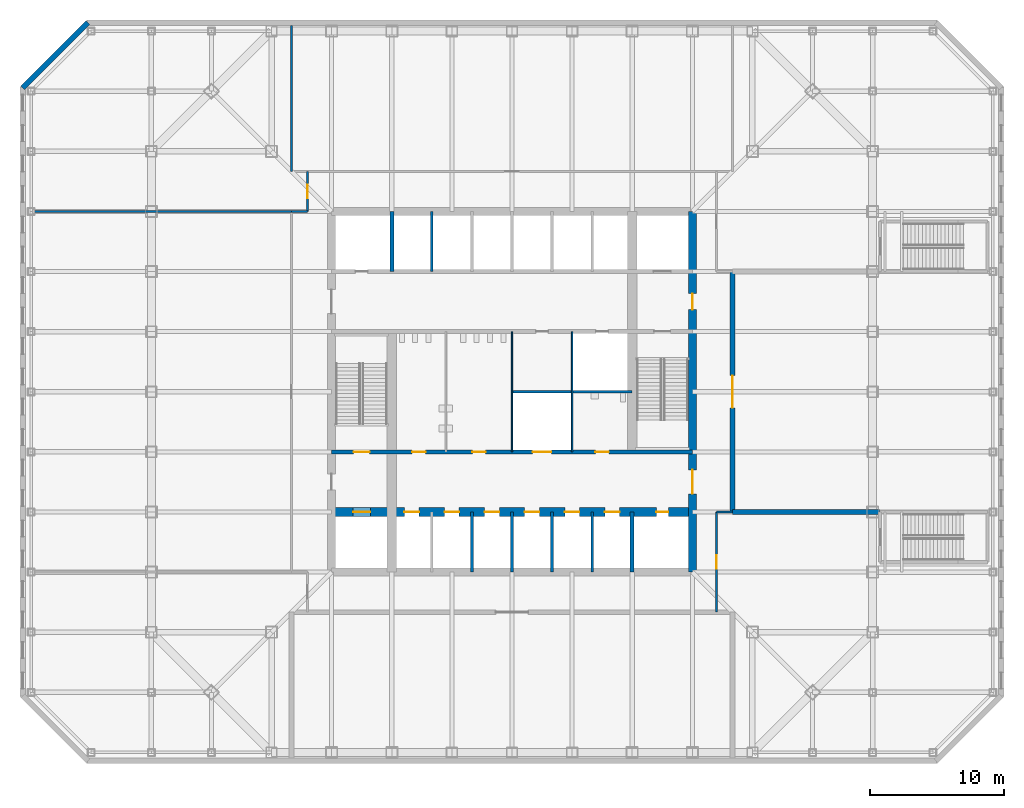
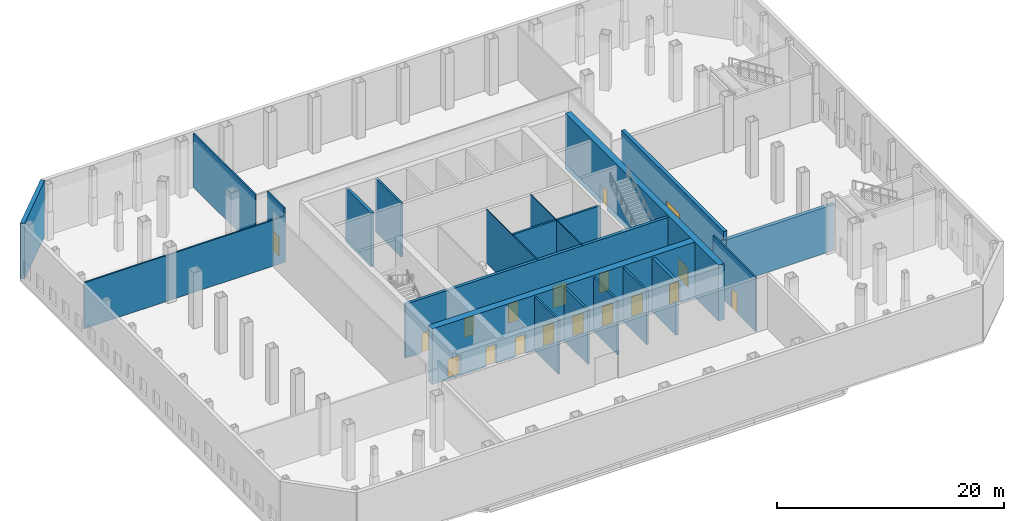
# One storey, part 7 of 13: 22 walls, 18 doors, 18 openings.
"""IFC4 building model written with IfcOpenShell, lengths in metres."""

from ifc_helpers import new_model, si_unit, direction, frame, frame_2d, origin, place, context, subcontext, project, spatial, rectangle, extrude, material, layer, layer_set, type_object, element, fill, save


model = new_model("IFC4")

# Units and contexts
model_context = context("Model", 3, precision=1e-05, world=origin(), true_north=direction((0.0, 1.0)))
body_context = subcontext(model_context, "Body", "Model", "MODEL_VIEW")
ifc_project = project(units=[si_unit("LENGTHUNIT", "METRE"), si_unit("AREAUNIT", "SQUARE_METRE"), si_unit("VOLUMEUNIT", "CUBIC_METRE"), si_unit("PLANEANGLEUNIT", "RADIAN"), si_unit("MASSUNIT", "GRAM", prefix="KILO")], contexts=[model_context])

# Site, building, storey
site_placement = place(None, origin())
site = spatial("IfcSite", under=ifc_project, at=site_placement, CompositionType="ELEMENT")
building_placement = place(site_placement, origin())
building = spatial("IfcBuilding", under=site, at=building_placement, Name="Corais Broadcast Tower", CompositionType="ELEMENT")
storey_placement = place(building_placement, frame((0.0, 0.0, 12.0)))
storey = spatial("IfcBuildingStorey", under=building, at=storey_placement, Name="L02", CompositionType="ELEMENT", Elevation=12.0)

# Walls
ifc_material_1 = material(Name="Concrete blockwork class A, grouted, two-hour", Category="masonry")
ifc_layer_1 = layer(ifc_material_1, 0.300048828125)
ifc_layer_set_1 = layer_set([ifc_layer_1], Name="Concrete blockwork class A, grouted, two-hour")
wall_type_1 = type_object("IfcWallType", Name="Core lobby wall 300", PredefinedType="SOLIDWALL", material=ifc_layer_set_1)
for number, where, z_axis, x_axis, name in (
    (1, (18.0, 36.0, 0.0), (0.0, 0.0, 1.0), (0.0, 1.0, 0.0), "CL1 core shaft wall X18B L02"),
    (2, (36.0, 13.5, 0.0), (0.0, 0.0, 1.0), (0.0, 1.0, 0.0), "CL1 core shaft wall X36A L02"),
):
    element("IfcWall", number, at=place(storey_placement, frame(where, z_axis=z_axis, x_axis=x_axis)), inside=storey, type_object=wall_type_1, Name=name, PredefinedType="SOLIDWALL", context=body_context, shape_type="SweptSolid", body=[
        extrude(rectangle(XDim=4.5, YDim=0.300048828125, at=frame_2d((2.25, 0.0))), origin(), (0.0, 0.0, 1.0), 5.800048828125),
    ])

# Wall, openings, doors
wall_1_placement = place(storey_placement, frame((13.5, 22.5, 0.0), z_axis=(0.0, 0.0, 1.0), x_axis=(1.0, 0.0, 0.0)))
wall_1 = element("IfcWall", 3, at=wall_1_placement, inside=storey, type_object=wall_type_1, Name="CL1 core lobby wall Y225 L02", PredefinedType="SOLIDWALL", context=body_context, shape_type="SweptSolid", body=[
    extrude(rectangle(XDim=27.0, YDim=0.300048828125, at=frame_2d((13.5, 0.0))), origin(), (0.0, 0.0, 1.0), 5.800048828125),
])
opening_1_placement = place(wall_1_placement, frame((1.64990234375, 0.0, 0.0)))
opening_1 = element("IfcOpeningElement", 4, at=opening_1_placement, cuts=wall_1, Name="Opening FD1", PredefinedType="OPENING", context=body_context, shape_type="SweptSolid", body=[
    extrude(rectangle(XDim=1.199951171875, YDim=2.10009765625, at=frame_2d((0.60009765625, 1.050048828125))), frame((0.0, 0.159912109375, 0.0), z_axis=(0.0, -1.0, 0.0), x_axis=(1.0, 0.0, 0.0)), (0.0, 0.0, 1.0), 0.320068359375),
])
opening_2_placement = place(wall_1_placement, frame((6.02490234375, 0.0, 0.0)))
opening_2 = element("IfcOpeningElement", 5, at=opening_2_placement, cuts=wall_1, Name="Opening WD1", PredefinedType="OPENING", context=body_context, shape_type="SweptSolid", body=[
    extrude(rectangle(XDim=1.0, YDim=2.10009765625, at=frame_2d((0.5, 1.050048828125))), frame((0.0, 0.159912109375, 0.0), z_axis=(0.0, -1.0, 0.0), x_axis=(1.0, 0.0, 0.0)), (0.0, 0.0, 1.0), 0.320068359375),
])
opening_3_placement = place(wall_1_placement, frame((10.52490234375, 0.0, 0.0)))
opening_3 = element("IfcOpeningElement", 6, at=opening_3_placement, cuts=wall_1, Name="Opening WD1", PredefinedType="OPENING", context=body_context, shape_type="SweptSolid", body=[
    extrude(rectangle(XDim=1.0, YDim=2.10009765625, at=frame_2d((0.5, 1.050048828125))), frame((0.0, 0.159912109375, 0.0), z_axis=(0.0, -1.0, 0.0), x_axis=(1.0, 0.0, 0.0)), (0.0, 0.0, 1.0), 0.320068359375),
])
opening_4_placement = place(wall_1_placement, frame((19.75, 0.0, 0.0)))
opening_4 = element("IfcOpeningElement", 7, at=opening_4_placement, cuts=wall_1, Name="Opening WD1", PredefinedType="OPENING", context=body_context, shape_type="SweptSolid", body=[
    extrude(rectangle(XDim=1.0, YDim=2.10009765625, at=frame_2d((0.5, 1.050048828125))), frame((0.0, 0.159912109375, 0.0), z_axis=(0.0, -1.0, 0.0), x_axis=(1.0, 0.0, 0.0)), (0.0, 0.0, 1.0), 0.320068359375),
])
opening_5_placement = place(wall_1_placement, frame((15.050048828125, 0.0, 0.0)))
opening_5 = element("IfcOpeningElement", 8, at=opening_5_placement, cuts=wall_1, Name="Opening LD3", PredefinedType="OPENING", context=body_context, shape_type="SweptSolid", body=[
    extrude(rectangle(XDim=1.39990234375, YDim=2.39990234375, at=frame_2d((0.699951171875, 1.199951171875))), frame((0.0, 0.159912109375, 0.0), z_axis=(0.0, -1.0, 0.0), x_axis=(1.0, 0.0, 0.0)), (0.0, 0.0, 1.0), 0.320068359375),
])
ifc_material_2 = material(Name="Steel fire door", Category="steel")
door_type_1 = type_object("IfcDoorType", Name="Fire door 1200x2100", OperationType="SINGLE_SWING_LEFT", PredefinedType="DOOR", material=ifc_material_2)
door_1_placement = place(opening_1_placement, origin())
door_1 = element("IfcDoor", 9, at=door_1_placement, inside=storey, type_object=door_type_1, Name="FD1 stair A door L02", OperationType="SINGLE_SWING_LEFT", OverallHeight=2.10009765625, OverallWidth=1.199951171875, PredefinedType="DOOR", context=body_context, shape_type="SweptSolid", body=[
    extrude(rectangle(XDim=1.199951171875, YDim=2.10009765625, at=frame_2d((0.60009765625, 1.050048828125))), frame((0.0, 0.02490234375, 0.0), z_axis=(0.0, -1.0, 0.0), x_axis=(1.0, 0.0, 0.0)), (0.0, 0.0, 1.0), 0.050048828125),
])
fill(opening_1, door_1)
ifc_material_3 = material(Name="Stainless steel lift door", Category="steel")
door_type_2 = type_object("IfcDoorType", Name="Service lift landing door 1400x2400", OperationType="SLIDING_TO_LEFT", PredefinedType="DOOR", material=ifc_material_3)
door_2_placement = place(opening_5_placement, origin())
door_2 = element("IfcDoor", 10, at=door_2_placement, inside=storey, type_object=door_type_2, Name="LD3 SL1 landing door L02", OperationType="SLIDING_TO_LEFT", OverallHeight=2.39990234375, OverallWidth=1.39990234375, PredefinedType="DOOR", context=body_context, shape_type="SweptSolid", body=[
    extrude(rectangle(XDim=1.39990234375, YDim=2.39990234375, at=frame_2d((0.699951171875, 1.199951171875))), frame((0.0, 0.02490234375, 0.0), z_axis=(0.0, -1.0, 0.0), x_axis=(1.0, 0.0, 0.0)), (0.0, 0.0, 1.0), 0.050048828125),
])
fill(opening_5, door_2)
ifc_material_4 = material(Name="Timber door", Category="wood")
door_type_3 = type_object("IfcDoorType", Name="Toilet door 1000x2100", OperationType="SINGLE_SWING_LEFT", PredefinedType="DOOR", material=ifc_material_4)
door_3_placement = place(opening_2_placement, origin())
door_3 = element("IfcDoor", 11, at=door_3_placement, inside=storey, type_object=door_type_3, Name="WD1 WC male door L02", OperationType="SINGLE_SWING_LEFT", OverallHeight=2.10009765625, OverallWidth=1.0, PredefinedType="DOOR", context=body_context, shape_type="SweptSolid", body=[
    extrude(rectangle(XDim=1.0, YDim=2.10009765625, at=frame_2d((0.5, 1.050048828125))), frame((0.0, 0.02490234375, 0.0), z_axis=(0.0, -1.0, 0.0), x_axis=(1.0, 0.0, 0.0)), (0.0, 0.0, 1.0), 0.050048828125),
])
fill(opening_2, door_3)
door_4_placement = place(opening_3_placement, origin())
door_4 = element("IfcDoor", 12, at=door_4_placement, inside=storey, type_object=door_type_3, Name="WD1 WC female door L02", OperationType="SINGLE_SWING_LEFT", OverallHeight=2.10009765625, OverallWidth=1.0, PredefinedType="DOOR", context=body_context, shape_type="SweptSolid", body=[
    extrude(rectangle(XDim=1.0, YDim=2.10009765625, at=frame_2d((0.5, 1.050048828125))), frame((0.0, 0.02490234375, 0.0), z_axis=(0.0, -1.0, 0.0), x_axis=(1.0, 0.0, 0.0)), (0.0, 0.0, 1.0), 0.050048828125),
])
fill(opening_3, door_4)
door_5_placement = place(opening_4_placement, origin())
door_5 = element("IfcDoor", 13, at=door_5_placement, inside=storey, type_object=door_type_3, Name="WD1 accessible WC door L02", OperationType="SINGLE_SWING_RIGHT", OverallHeight=2.10009765625, OverallWidth=1.0, PredefinedType="DOOR", context=body_context, shape_type="SweptSolid", body=[
    extrude(rectangle(XDim=1.0, YDim=2.10009765625, at=frame_2d((0.5, 1.050048828125))), frame((0.0, 0.02490234375, 0.0), z_axis=(0.0, -1.0, 0.0), x_axis=(1.0, 0.0, 0.0)), (0.0, 0.0, 1.0), 0.050048828125),
])
fill(opening_4, door_5)

ifc_material_5 = material(Name="Concrete C50/60", Category="concrete")
ifc_layer_2 = layer(ifc_material_5, 0.699951171875)
ifc_layer_set_2 = layer_set([ifc_layer_2], Name="Concrete C50/60")
wall_type_2 = type_object("IfcWallType", Name="Core spine wall 700", PredefinedType="SHEAR", material=ifc_layer_set_2)
wall_2_placement = place(storey_placement, frame((13.5, 18.0, 0.0), z_axis=(0.0, 0.0, 1.0), x_axis=(1.0, 0.0, 0.0)))
wall_2 = element("IfcWall", 14, at=wall_2_placement, inside=storey, type_object=wall_type_2, Name="CR700 core wall Y18 L02", PredefinedType="SHEAR", context=body_context, shape_type="SweptSolid", body=[
    extrude(rectangle(XDim=27.0, YDim=0.699951171875, at=frame_2d((13.5, 0.0))), origin(), (0.0, 0.0, 1.0), 6.0),
])
opening_6_placement = place(wall_2_placement, frame((24.300048828125, 0.0, 0.0)))
opening_6 = element("IfcOpeningElement", 15, at=opening_6_placement, cuts=wall_2, Name="Opening RD1", PredefinedType="OPENING", context=body_context, shape_type="SweptSolid", body=[
    extrude(rectangle(XDim=0.89990234375, YDim=2.10009765625, at=frame_2d((0.449951171875, 1.050048828125))), frame((0.0, 0.35986328125, 0.0), z_axis=(0.0, -1.0, 0.0), x_axis=(1.0, 0.0, 0.0)), (0.0, 0.0, 1.0), 0.719970703125),
])
opening_7_placement = place(wall_2_placement, frame((5.449951171875, 0.0, 0.0)))
opening_7 = element("IfcOpeningElement", 16, at=opening_7_placement, cuts=wall_2, Name="Opening LD1", PredefinedType="OPENING", context=body_context, shape_type="SweptSolid", body=[
    extrude(rectangle(XDim=1.10009765625, YDim=2.10009765625, at=frame_2d((0.550048828125, 1.050048828125))), frame((0.0, 0.35986328125, 0.0), z_axis=(0.0, -1.0, 0.0), x_axis=(1.0, 0.0, 0.0)), (0.0, 0.0, 1.0), 0.719970703125),
])
opening_8_placement = place(wall_2_placement, frame((8.449951171875, 0.0, 0.0)))
opening_8 = element("IfcOpeningElement", 17, at=opening_8_placement, cuts=wall_2, Name="Opening LD1", PredefinedType="OPENING", context=body_context, shape_type="SweptSolid", body=[
    extrude(rectangle(XDim=1.10009765625, YDim=2.10009765625, at=frame_2d((0.550048828125, 1.050048828125))), frame((0.0, 0.35986328125, 0.0), z_axis=(0.0, -1.0, 0.0), x_axis=(1.0, 0.0, 0.0)), (0.0, 0.0, 1.0), 0.719970703125),
])
opening_9_placement = place(wall_2_placement, frame((11.449951171875, 0.0, 0.0)))
opening_9 = element("IfcOpeningElement", 18, at=opening_9_placement, cuts=wall_2, Name="Opening LD1", PredefinedType="OPENING", context=body_context, shape_type="SweptSolid", body=[
    extrude(rectangle(XDim=1.10009765625, YDim=2.10009765625, at=frame_2d((0.550048828125, 1.050048828125))), frame((0.0, 0.35986328125, 0.0), z_axis=(0.0, -1.0, 0.0), x_axis=(1.0, 0.0, 0.0)), (0.0, 0.0, 1.0), 0.719970703125),
])
opening_10_placement = place(wall_2_placement, frame((14.449951171875, 0.0, 0.0)))
opening_10 = element("IfcOpeningElement", 19, at=opening_10_placement, cuts=wall_2, Name="Opening LD1", PredefinedType="OPENING", context=body_context, shape_type="SweptSolid", body=[
    extrude(rectangle(XDim=1.10009765625, YDim=2.10009765625, at=frame_2d((0.550048828125, 1.050048828125))), frame((0.0, 0.35986328125, 0.0), z_axis=(0.0, -1.0, 0.0), x_axis=(1.0, 0.0, 0.0)), (0.0, 0.0, 1.0), 0.719970703125),
])
opening_11_placement = place(wall_2_placement, frame((17.449951171875, 0.0, 0.0)))
opening_11 = element("IfcOpeningElement", 20, at=opening_11_placement, cuts=wall_2, Name="Opening LD1", PredefinedType="OPENING", context=body_context, shape_type="SweptSolid", body=[
    extrude(rectangle(XDim=1.10009765625, YDim=2.10009765625, at=frame_2d((0.550048828125, 1.050048828125))), frame((0.0, 0.35986328125, 0.0), z_axis=(0.0, -1.0, 0.0), x_axis=(1.0, 0.0, 0.0)), (0.0, 0.0, 1.0), 0.719970703125),
])
opening_12_placement = place(wall_2_placement, frame((20.449951171875, 0.0, 0.0)))
opening_12 = element("IfcOpeningElement", 21, at=opening_12_placement, cuts=wall_2, Name="Opening LD1", PredefinedType="OPENING", context=body_context, shape_type="SweptSolid", body=[
    extrude(rectangle(XDim=1.10009765625, YDim=2.10009765625, at=frame_2d((0.550048828125, 1.050048828125))), frame((0.0, 0.35986328125, 0.0), z_axis=(0.0, -1.0, 0.0), x_axis=(1.0, 0.0, 0.0)), (0.0, 0.0, 1.0), 0.719970703125),
])
opening_13_placement = place(wall_2_placement, frame((1.60009765625, 0.0, 0.0)))
opening_13 = element("IfcOpeningElement", 22, at=opening_13_placement, cuts=wall_2, Name="Opening LD2", PredefinedType="OPENING", context=body_context, shape_type="SweptSolid", body=[
    extrude(rectangle(XDim=1.300048828125, YDim=2.199951171875, at=frame_2d((0.64990234375, 1.10009765625))), frame((0.0, 0.35986328125, 0.0), z_axis=(0.0, -1.0, 0.0), x_axis=(1.0, 0.0, 0.0)), (0.0, 0.0, 1.0), 0.719970703125),
])
ifc_material_6 = material(Name="Stainless steel lift door", Category="steel")
door_type_4 = type_object("IfcDoorType", Name="Lift landing door 1100x2100", OperationType="SLIDING_TO_LEFT", PredefinedType="DOOR", material=ifc_material_6)
door_6_placement = place(opening_7_placement, origin())
door_6 = element("IfcDoor", 23, at=door_6_placement, inside=storey, type_object=door_type_4, Name="LD1 PL1 landing door L02", OperationType="SLIDING_TO_LEFT", OverallHeight=2.10009765625, OverallWidth=1.10009765625, PredefinedType="DOOR", context=body_context, shape_type="SweptSolid", body=[
    extrude(rectangle(XDim=1.10009765625, YDim=2.10009765625, at=frame_2d((0.550048828125, 1.050048828125))), frame((0.0, 0.02490234375, 0.0), z_axis=(0.0, -1.0, 0.0), x_axis=(1.0, 0.0, 0.0)), (0.0, 0.0, 1.0), 0.050048828125),
])
fill(opening_7, door_6)
door_7_placement = place(opening_8_placement, origin())
door_7 = element("IfcDoor", 24, at=door_7_placement, inside=storey, type_object=door_type_4, Name="LD1 PL2 landing door L02", OperationType="SLIDING_TO_LEFT", OverallHeight=2.10009765625, OverallWidth=1.10009765625, PredefinedType="DOOR", context=body_context, shape_type="SweptSolid", body=[
    extrude(rectangle(XDim=1.10009765625, YDim=2.10009765625, at=frame_2d((0.550048828125, 1.050048828125))), frame((0.0, 0.02490234375, 0.0), z_axis=(0.0, -1.0, 0.0), x_axis=(1.0, 0.0, 0.0)), (0.0, 0.0, 1.0), 0.050048828125),
])
fill(opening_8, door_7)
door_8_placement = place(opening_9_placement, origin())
door_8 = element("IfcDoor", 25, at=door_8_placement, inside=storey, type_object=door_type_4, Name="LD1 PL3 landing door L02", OperationType="SLIDING_TO_LEFT", OverallHeight=2.10009765625, OverallWidth=1.10009765625, PredefinedType="DOOR", context=body_context, shape_type="SweptSolid", body=[
    extrude(rectangle(XDim=1.10009765625, YDim=2.10009765625, at=frame_2d((0.550048828125, 1.050048828125))), frame((0.0, 0.02490234375, 0.0), z_axis=(0.0, -1.0, 0.0), x_axis=(1.0, 0.0, 0.0)), (0.0, 0.0, 1.0), 0.050048828125),
])
fill(opening_9, door_8)
door_9_placement = place(opening_10_placement, origin())
door_9 = element("IfcDoor", 26, at=door_9_placement, inside=storey, type_object=door_type_4, Name="LD1 PL4 landing door L02", OperationType="SLIDING_TO_LEFT", OverallHeight=2.10009765625, OverallWidth=1.10009765625, PredefinedType="DOOR", context=body_context, shape_type="SweptSolid", body=[
    extrude(rectangle(XDim=1.10009765625, YDim=2.10009765625, at=frame_2d((0.550048828125, 1.050048828125))), frame((0.0, 0.02490234375, 0.0), z_axis=(0.0, -1.0, 0.0), x_axis=(1.0, 0.0, 0.0)), (0.0, 0.0, 1.0), 0.050048828125),
])
fill(opening_10, door_9)
door_10_placement = place(opening_11_placement, origin())
door_10 = element("IfcDoor", 27, at=door_10_placement, inside=storey, type_object=door_type_4, Name="LD1 PL5 landing door L02", OperationType="SLIDING_TO_LEFT", OverallHeight=2.10009765625, OverallWidth=1.10009765625, PredefinedType="DOOR", context=body_context, shape_type="SweptSolid", body=[
    extrude(rectangle(XDim=1.10009765625, YDim=2.10009765625, at=frame_2d((0.550048828125, 1.050048828125))), frame((0.0, 0.02490234375, 0.0), z_axis=(0.0, -1.0, 0.0), x_axis=(1.0, 0.0, 0.0)), (0.0, 0.0, 1.0), 0.050048828125),
])
fill(opening_11, door_10)
door_11_placement = place(opening_12_placement, origin())
door_11 = element("IfcDoor", 28, at=door_11_placement, inside=storey, type_object=door_type_4, Name="LD1 PL6 landing door L02", OperationType="SLIDING_TO_LEFT", OverallHeight=2.10009765625, OverallWidth=1.10009765625, PredefinedType="DOOR", context=body_context, shape_type="SweptSolid", body=[
    extrude(rectangle(XDim=1.10009765625, YDim=2.10009765625, at=frame_2d((0.550048828125, 1.050048828125))), frame((0.0, 0.02490234375, 0.0), z_axis=(0.0, -1.0, 0.0), x_axis=(1.0, 0.0, 0.0)), (0.0, 0.0, 1.0), 0.050048828125),
])
fill(opening_12, door_11)
ifc_material_7 = material(Name="Stainless steel lift door", Category="steel")
door_type_5 = type_object("IfcDoorType", Name="Lift landing door 1300x2200", OperationType="SLIDING_TO_LEFT", PredefinedType="DOOR", material=ifc_material_7)
door_12_placement = place(opening_13_placement, origin())
door_12 = element("IfcDoor", 29, at=door_12_placement, inside=storey, type_object=door_type_5, Name="LD2 FL1 landing door L02", OperationType="SLIDING_TO_LEFT", OverallHeight=2.199951171875, OverallWidth=1.300048828125, PredefinedType="DOOR", context=body_context, shape_type="SweptSolid", body=[
    extrude(rectangle(XDim=1.300048828125, YDim=2.199951171875, at=frame_2d((0.64990234375, 1.10009765625))), frame((0.0, 0.02490234375, 0.0), z_axis=(0.0, -1.0, 0.0), x_axis=(1.0, 0.0, 0.0)), (0.0, 0.0, 1.0), 0.050048828125),
])
fill(opening_13, door_12)
ifc_material_8 = material(Name="Steel fire door", Category="steel")
door_type_6 = type_object("IfcDoorType", Name="Riser door 900x2100", OperationType="SINGLE_SWING_LEFT", PredefinedType="DOOR", material=ifc_material_8)
door_13_placement = place(opening_6_placement, origin())
door_13 = element("IfcDoor", 30, at=door_13_placement, inside=storey, type_object=door_type_6, Name="RD1 riser door L02", OperationType="SINGLE_SWING_RIGHT", OverallHeight=2.10009765625, OverallWidth=0.89990234375, PredefinedType="DOOR", context=body_context, shape_type="SweptSolid", body=[
    extrude(rectangle(XDim=0.89990234375, YDim=2.10009765625, at=frame_2d((0.449951171875, 1.050048828125))), frame((0.0, 0.02490234375, 0.0), z_axis=(0.0, -1.0, 0.0), x_axis=(1.0, 0.0, 0.0)), (0.0, 0.0, 1.0), 0.050048828125),
])
fill(opening_6, door_13)

ifc_material_9 = material(Name="Concrete C50/60", Category="concrete")
ifc_layer_3 = layer(ifc_material_9, 0.60009765625)
ifc_layer_set_3 = layer_set([ifc_layer_3], Name="Concrete C50/60")
wall_type_3 = type_object("IfcWallType", Name="Core wall 600", PredefinedType="SHEAR", material=ifc_layer_set_3)
wall_3_placement = place(storey_placement, frame((40.5, 13.5, 0.0), z_axis=(0.0, 0.0, 1.0), x_axis=(0.0, 1.0, 0.0)))
wall_3 = element("IfcWall", 31, at=wall_3_placement, inside=storey, type_object=wall_type_3, Name="CR600 core wall E L02", PredefinedType="SHEAR", context=body_context, shape_type="SweptSolid", body=[
    extrude(rectangle(XDim=27.0, YDim=0.60009765625, at=frame_2d((13.5, 0.0))), origin(), (0.0, 0.0, 1.0), 6.0),
])
opening_14_placement = place(wall_3_placement, frame((5.85009765625, 0.0, 0.0)))
opening_14 = element("IfcOpeningElement", 32, at=opening_14_placement, cuts=wall_3, Name="Opening FD2", PredefinedType="OPENING", context=body_context, shape_type="SweptSolid", body=[
    extrude(rectangle(XDim=1.800048828125, YDim=2.10009765625, at=frame_2d((0.89990234375, 1.050048828125))), frame((0.0, 0.31005859375, 0.0), z_axis=(0.0, -1.0, 0.0), x_axis=(1.0, 0.0, 0.0)), (0.0, 0.0, 1.0), 0.6201171875),
])
opening_15_placement = place(wall_3_placement, frame((19.64990234375, 0.0, 0.0)))
opening_15 = element("IfcOpeningElement", 33, at=opening_15_placement, cuts=wall_3, Name="Opening FD1", PredefinedType="OPENING", context=body_context, shape_type="SweptSolid", body=[
    extrude(rectangle(XDim=1.199951171875, YDim=2.10009765625, at=frame_2d((0.60009765625, 1.050048828125))), frame((0.0, 0.31005859375, 0.0), z_axis=(0.0, -1.0, 0.0), x_axis=(1.0, 0.0, 0.0)), (0.0, 0.0, 1.0), 0.6201171875),
])
door_14_placement = place(opening_15_placement, origin())
door_14 = element("IfcDoor", 34, at=door_14_placement, inside=storey, type_object=door_type_1, Name="FD1 fire lobby B door L02", OperationType="SINGLE_SWING_RIGHT", OverallHeight=2.10009765625, OverallWidth=1.199951171875, PredefinedType="DOOR", context=body_context, shape_type="SweptSolid", body=[
    extrude(rectangle(XDim=1.199951171875, YDim=2.10009765625, at=frame_2d((0.60009765625, 1.050048828125))), frame((0.0, 0.02490234375, 0.0), z_axis=(0.0, -1.0, 0.0), x_axis=(1.0, 0.0, 0.0)), (0.0, 0.0, 1.0), 0.050048828125),
])
fill(opening_15, door_14)
ifc_material_10 = material(Name="Steel fire door", Category="steel")
door_type_7 = type_object("IfcDoorType", Name="Fire door pair 1800x2100", OperationType="DOUBLE_DOOR_SINGLE_SWING", PredefinedType="DOOR", material=ifc_material_10)
door_15_placement = place(opening_14_placement, origin())
door_15 = element("IfcDoor", 35, at=door_15_placement, inside=storey, type_object=door_type_7, Name="FD2 lift lobby door L02", OperationType="SINGLE_SWING_LEFT", OverallHeight=2.10009765625, OverallWidth=1.800048828125, PredefinedType="DOOR", context=body_context, shape_type="SweptSolid", body=[
    extrude(rectangle(XDim=1.800048828125, YDim=2.10009765625, at=frame_2d((0.89990234375, 1.050048828125))), frame((0.0, 0.02490234375, 0.0), z_axis=(0.0, -1.0, 0.0), x_axis=(1.0, 0.0, 0.0)), (0.0, 0.0, 1.0), 0.050048828125),
])
fill(opening_14, door_15)

# Wall
ifc_material_11 = material(Name="Two leaves of dense concrete blockwork class A with a 50 mm cavity", Category="masonry")
ifc_layer_4 = layer(ifc_material_11, 0.35009765625)
ifc_layer_set_4 = layer_set([ifc_layer_4], Name="Two leaves of dense concrete blockwork class A with a 50 mm cavity")
wall_type_4 = type_object("IfcWallType", Name="Double-leaf acoustic partition 350", PredefinedType="PARTITIONING", material=ifc_layer_set_4)
wall_4_placement = place(storey_placement, frame((43.5, 18.0, 0.0), z_axis=(0.0, 0.0, 1.0), x_axis=(1.0, 0.0, 0.0)))
element("IfcWall", 36, at=wall_4_placement, inside=storey, type_object=wall_type_4, Name="IW4 partition L02", PredefinedType="PARTITIONING", context=body_context, shape_type="SweptSolid", body=[
    extrude(rectangle(XDim=11.0, YDim=0.35009765625, at=frame_2d((5.5, 0.0))), origin(), (0.0, 0.0, 1.0), 4.948974609375),
])

# Wall, opening, door
wall_5_placement = place(storey_placement, frame((43.5, 36.0, 0.0), z_axis=(0.0, 0.0, 1.0), x_axis=(0.0, -1.0, 0.0)))
wall_5 = element("IfcWall", 37, at=wall_5_placement, inside=storey, type_object=wall_type_4, Name="IW4 partition L02", PredefinedType="PARTITIONING", context=body_context, shape_type="SweptSolid", body=[
    extrude(rectangle(XDim=18.0, YDim=0.35009765625, at=frame_2d((9.0, 0.0))), origin(), (0.0, 0.0, 1.0), 5.800048828125),
])
opening_16_placement = place(wall_5_placement, frame((7.800048828125, 0.0, 0.0)))
opening_16 = element("IfcOpeningElement", 38, at=opening_16_placement, cuts=wall_5, Name="Opening D3", PredefinedType="OPENING", context=body_context, shape_type="SweptSolid", body=[
    extrude(rectangle(XDim=2.39990234375, YDim=3.0, at=frame_2d((1.199951171875, 1.5))), frame((0.0, 0.18505859375, 0.0), z_axis=(0.0, -1.0, 0.0), x_axis=(1.0, 0.0, 0.0)), (0.0, 0.0, 1.0), 0.3701171875),
])
ifc_material_12 = material(Name="Acoustic steel door", Category="steel")
door_type_8 = type_object("IfcDoorType", Name="Studio double door 2400x3000", OperationType="DOUBLE_DOOR_SINGLE_SWING", PredefinedType="DOOR", material=ifc_material_12)
door_16_placement = place(opening_16_placement, origin())
door_16 = element("IfcDoor", 39, at=door_16_placement, inside=storey, type_object=door_type_8, Name="D3 Control room C door", OperationType="SINGLE_SWING_LEFT", OverallHeight=3.0, OverallWidth=2.39990234375, PredefinedType="DOOR", context=body_context, shape_type="SweptSolid", body=[
    extrude(rectangle(XDim=2.39990234375, YDim=3.0, at=frame_2d((1.199951171875, 1.5))), frame((0.0, 0.02490234375, 0.0), z_axis=(0.0, -1.0, 0.0), x_axis=(1.0, 0.0, 0.0)), (0.0, 0.0, 1.0), 0.050048828125),
])
fill(opening_16, door_16)

ifc_material_13 = material(Name="Gypsum board on steel studs", Category="steel")
ifc_layer_5 = layer(ifc_material_13, 0.14990234375)
ifc_layer_set_5 = layer_set([ifc_layer_5], Name="Gypsum board on steel studs")
wall_type_5 = type_object("IfcWallType", Name="Partition 150", PredefinedType="PARTITIONING", material=ifc_layer_set_5)
wall_6_placement = place(storey_placement, frame((42.300048828125, 10.5, 0.0), z_axis=(0.0, 0.0, 1.0), x_axis=(0.0, 1.0, 0.0)))
wall_6 = element("IfcWall", 40, at=wall_6_placement, inside=storey, type_object=wall_type_5, Name="IW3 corridor wall L02", PredefinedType="PARTITIONING", context=body_context, shape_type="SweptSolid", body=[
    extrude(rectangle(XDim=7.5, YDim=0.14990234375, at=frame_2d((3.75, 0.0))), origin(), (0.0, 0.0, 1.0), 5.800048828125),
])
opening_17_placement = place(wall_6_placement, frame((3.25, 0.0, 0.0)))
opening_17 = element("IfcOpeningElement", 41, at=opening_17_placement, cuts=wall_6, Name="Opening D1", PredefinedType="OPENING", context=body_context, shape_type="SweptSolid", body=[
    extrude(rectangle(XDim=1.0, YDim=2.10009765625, at=frame_2d((0.5, 1.050048828125))), frame((0.0, 0.0849609375, 0.0), z_axis=(0.0, -1.0, 0.0), x_axis=(1.0, 0.0, 0.0)), (0.0, 0.0, 1.0), 0.169921875),
])
ifc_material_14 = material(Name="Timber door", Category="wood")
door_type_9 = type_object("IfcDoorType", Name="Single door 1000x2100", OperationType="SINGLE_SWING_LEFT", PredefinedType="DOOR", material=ifc_material_14)
door_17_placement = place(opening_17_placement, origin())
door_17 = element("IfcDoor", 42, at=door_17_placement, inside=storey, type_object=door_type_9, Name="D1 workplace door L02", OperationType="SINGLE_SWING_LEFT", OverallHeight=2.10009765625, OverallWidth=1.0, PredefinedType="DOOR", context=body_context, shape_type="SweptSolid", body=[
    extrude(rectangle(XDim=1.0, YDim=2.10009765625, at=frame_2d((0.5, 1.050048828125))), frame((0.0, 0.02490234375, 0.0), z_axis=(0.0, -1.0, 0.0), x_axis=(1.0, 0.0, 0.0)), (0.0, 0.0, 1.0), 0.050048828125),
])
fill(opening_17, door_17)

# Wall
wall_7_placement = place(storey_placement, frame((42.300048828125, 18.0, 0.0), z_axis=(0.0, 0.0, 1.0), x_axis=(1.0, 0.0, 0.0)))
element("IfcWall", 43, at=wall_7_placement, inside=storey, type_object=wall_type_5, Name="IW3 corridor wall L02", PredefinedType="PARTITIONING", context=body_context, shape_type="SweptSolid", body=[
    extrude(rectangle(XDim=1.2099609375, YDim=0.14990234375, at=frame_2d((0.60498046875, 0.0))), origin(), (0.0, 0.0, 1.0), 4.948974609375),
])

# Wall, opening, door
wall_8_placement = place(storey_placement, frame((11.699951171875, 43.5, 0.0), z_axis=(0.0, 0.0, 1.0), x_axis=(0.0, -1.0, 0.0)))
wall_8 = element("IfcWall", 44, at=wall_8_placement, inside=storey, type_object=wall_type_5, Name="IW3 corridor wall L02", PredefinedType="PARTITIONING", context=body_context, shape_type="SweptSolid", body=[
    extrude(rectangle(XDim=3.0, YDim=0.14990234375, at=frame_2d((1.5, 0.0))), origin(), (0.0, 0.0, 1.0), 5.800048828125),
])
opening_18_placement = place(wall_8_placement, frame((1.0, 0.0, 0.0)))
opening_18 = element("IfcOpeningElement", 45, at=opening_18_placement, cuts=wall_8, Name="Opening D1", PredefinedType="OPENING", context=body_context, shape_type="SweptSolid", body=[
    extrude(rectangle(XDim=1.0, YDim=2.10009765625, at=frame_2d((0.5, 1.050048828125))), frame((0.0, 0.0849609375, 0.0), z_axis=(0.0, -1.0, 0.0), x_axis=(1.0, 0.0, 0.0)), (0.0, 0.0, 1.0), 0.169921875),
])
door_18_placement = place(opening_18_placement, origin())
door_18 = element("IfcDoor", 46, at=door_18_placement, inside=storey, type_object=door_type_9, Name="D1 workplace door L02", OperationType="SINGLE_SWING_LEFT", OverallHeight=2.10009765625, OverallWidth=1.0, PredefinedType="DOOR", context=body_context, shape_type="SweptSolid", body=[
    extrude(rectangle(XDim=1.0, YDim=2.10009765625, at=frame_2d((0.5, 1.050048828125))), frame((0.0, 0.02490234375, 0.0), z_axis=(0.0, -1.0, 0.0), x_axis=(1.0, 0.0, 0.0)), (0.0, 0.0, 1.0), 0.050048828125),
])
fill(opening_18, door_18)

# Walls
wall_9_placement = place(storey_placement, frame((11.699951171875, 40.5, 0.0), z_axis=(0.0, 0.0, 1.0), x_axis=(-1.0, 0.0, 0.0)))
element("IfcWall", 47, at=wall_9_placement, inside=storey, type_object=wall_type_5, Name="IW3 corridor wall L02", PredefinedType="PARTITIONING", context=body_context, shape_type="SweptSolid", body=[
    extrude(rectangle(XDim=1.2099609375, YDim=0.14990234375, at=frame_2d((0.60498046875, 0.0))), origin(), (0.0, 0.0, 1.0), 4.948974609375),
])
wall_10_placement = place(storey_placement, frame((10.5, 54.429931640625, 0.0), z_axis=(0.0, 0.0, 1.0), x_axis=(0.0, -1.0, 0.0)))
element("IfcWall", 48, at=wall_10_placement, inside=storey, type_object=wall_type_5, Name="IW3 partition L02", PredefinedType="PARTITIONING", context=body_context, shape_type="SweptSolid", body=[
    extrude(rectangle(XDim=10.929931640625, YDim=0.14990234375, at=frame_2d((5.46484375, 0.0))), origin(), (0.0, 0.0, 1.0), 5.800048828125),
])
wall_11_placement = place(storey_placement, frame((10.5, 40.5, 0.0), z_axis=(0.0, 0.0, 1.0), x_axis=(-1.0, 0.0, 0.0)))
element("IfcWall", 49, at=wall_11_placement, inside=storey, type_object=wall_type_5, Name="IW3 partition L02", PredefinedType="PARTITIONING", context=body_context, shape_type="SweptSolid", body=[
    extrude(rectangle(XDim=19.239990234375, YDim=0.14990234375, at=frame_2d((9.6201171875, 0.0))), origin(), (0.0, 0.0, 1.0), 4.948974609375),
])
ifc_material_15 = material(Name="Concrete blockwork class A, grouted, two-hour", Category="masonry")
ifc_layer_6 = layer(ifc_material_15, 0.199951171875)
ifc_layer_set_6 = layer_set([ifc_layer_6], Name="Concrete blockwork class A, grouted, two-hour")
wall_type_6 = type_object("IfcWallType", Name="Shaft wall 200", PredefinedType="PARTITIONING", material=ifc_layer_set_6)
for number, where, z_axis, x_axis, name in (
    (50, (21.0, 36.0, 0.0), (0.0, 0.0, 1.0), (0.0, 1.0, 0.0), "IW1 shaft wall L02"),
    (51, (24.0, 13.5, 0.0), (0.0, 0.0, 1.0), (0.0, 1.0, 0.0), "IW1 shaft wall L02"),
    (52, (27.0, 13.5, 0.0), (0.0, 0.0, 1.0), (0.0, 1.0, 0.0), "IW1 shaft wall L02"),
    (53, (30.0, 13.5, 0.0), (0.0, 0.0, 1.0), (0.0, 1.0, 0.0), "IW1 shaft wall L02"),
    (54, (33.0, 13.5, 0.0), (0.0, 0.0, 1.0), (0.0, 1.0, 0.0), "IW1 shaft wall L02"),
):
    element("IfcWall", number, at=place(storey_placement, frame(where, z_axis=z_axis, x_axis=x_axis)), inside=storey, type_object=wall_type_6, Name=name, PredefinedType="PARTITIONING", context=body_context, shape_type="SweptSolid", body=[
        extrude(rectangle(XDim=4.5, YDim=0.199951171875, at=frame_2d((2.25, 0.0))), origin(), (0.0, 0.0, 1.0), 5.800048828125),
    ])
wall_12_placement = place(storey_placement, frame((27.0, 27.0, 0.0), z_axis=(0.0, 0.0, 1.0), x_axis=(1.0, 0.0, 0.0)))
element("IfcWall", 55, at=wall_12_placement, inside=storey, type_object=wall_type_6, Name="IW1 shaft wall L02", PredefinedType="PARTITIONING", context=body_context, shape_type="SweptSolid", body=[
    extrude(rectangle(XDim=9.0, YDim=0.199951171875, at=frame_2d((4.5, 0.0))), origin(), (0.0, 0.0, 1.0), 5.800048828125),
])
ifc_material_16 = material(Name="Precast concrete C40/50", Category="concrete")
ifc_layer_7 = layer(ifc_material_16, 0.39990234375)
ifc_layer_set_7 = layer_set([ifc_layer_7], Name="Precast concrete C40/50")
wall_type_7 = type_object("IfcWallType", Name="Stone-faced acoustic wall 400", PredefinedType="SOLIDWALL", material=ifc_layer_set_7)
wall_13_placement = place(storey_placement, frame((-9.6298828125, 49.760986328125, 0.0), z_axis=(0.0, 0.0, 1.0), x_axis=(0.707106781187, 0.707106781187, 0.0)))
element("IfcWall", 56, at=wall_13_placement, inside=storey, type_object=wall_type_7, Name="EW2 external wall L02 3", PredefinedType="SOLIDWALL", context=body_context, shape_type="SweptSolid", body=[
    extrude(rectangle(XDim=6.8857421875, YDim=0.39990234375, at=frame_2d((3.44287109375, 0.0))), origin(), (0.0, 0.0, 1.0), 6.0),
])
ifc_material_17 = material(Name="Dense concrete blockwork class A, tiled both faces", Category="masonry")
ifc_layer_8 = layer(ifc_material_17, 0.10009765625)
ifc_layer_set_8 = layer_set([ifc_layer_8], Name="Dense concrete blockwork class A, tiled both faces")
wall_type_8 = type_object("IfcWallType", Name="Toilet wall 100", PredefinedType="PLUMBINGWALL", material=ifc_layer_set_8)
for number, where, z_axis, x_axis, name in (
    (57, (27.0, 22.5, 0.0), (0.0, 0.0, 1.0), (0.0, 1.0, 0.0), "IW2 toilet wall L02"),
    (58, (31.5, 22.5, 0.0), (0.0, 0.0, 1.0), (0.0, 1.0, 0.0), "IW2 toilet wall L02"),
):
    element("IfcWall", number, at=place(storey_placement, frame(where, z_axis=z_axis, x_axis=x_axis)), inside=storey, type_object=wall_type_8, Name=name, PredefinedType="PLUMBINGWALL", context=body_context, shape_type="SweptSolid", body=[
        extrude(rectangle(XDim=9.0, YDim=0.10009765625, at=frame_2d((4.5, 0.0))), origin(), (0.0, 0.0, 1.0), 5.800048828125),
    ])

save(model, "model.ifc")
